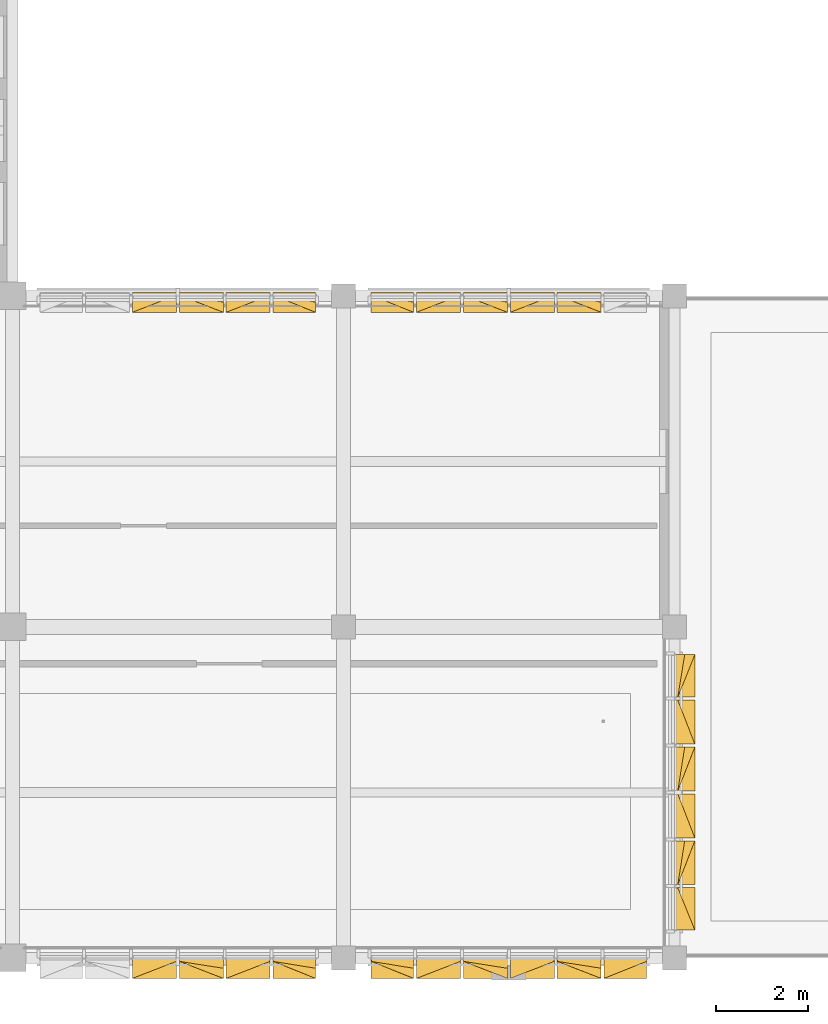
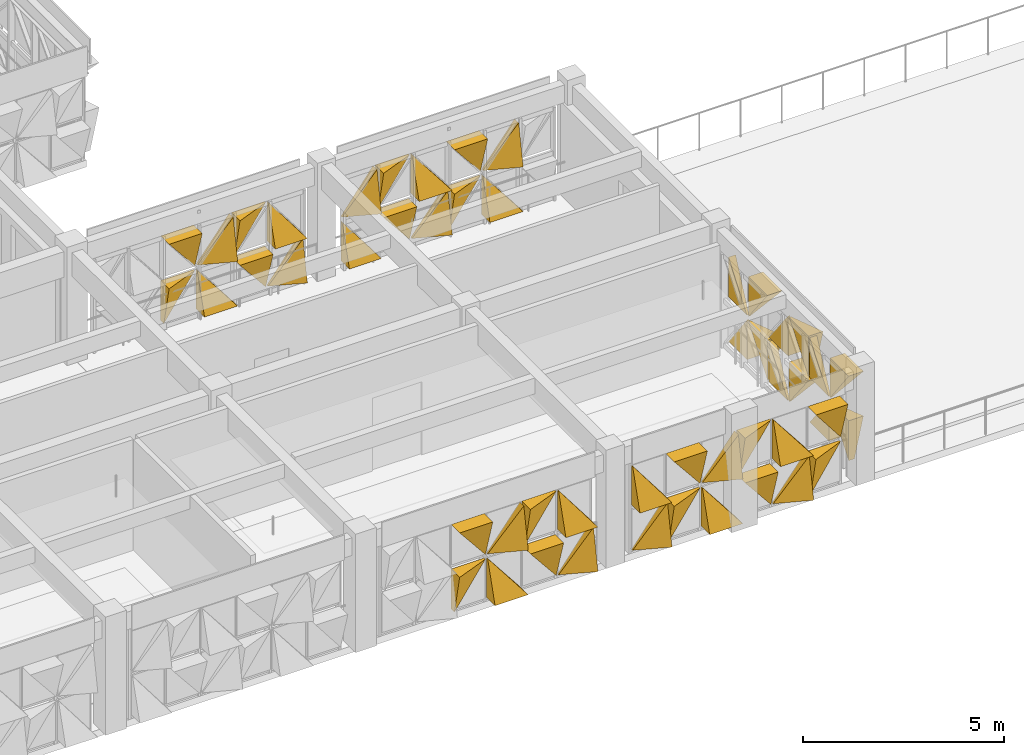
# One storey, part 88 of 99: 50 coverings.
"""IFC4 building model written with IfcOpenShell, lengths in metres."""

from ifc_helpers import new_model, si_unit, direction, frame, origin, place, context, subcontext, project, spatial, polygons, material, layer, layer_set, type_object, element, save


model = new_model("IFC4")

# Units and contexts
model_context = context("Model", 3, precision=1e-05, world=origin(), true_north=direction((0.0, 1.0)))
body_context = subcontext(model_context, "Body", "Model", "MODEL_VIEW")
ifc_project = project(units=[si_unit("LENGTHUNIT", "METRE"), si_unit("AREAUNIT", "SQUARE_METRE"), si_unit("VOLUMEUNIT", "CUBIC_METRE"), si_unit("PLANEANGLEUNIT", "RADIAN"), si_unit("MASSUNIT", "GRAM", prefix="KILO")], contexts=[model_context])

# Site, building, storey
site_placement = place(None, origin())
site = spatial("IfcSite", under=ifc_project, at=site_placement, CompositionType="ELEMENT")
building_placement = place(site_placement, origin())
building = spatial("IfcBuilding", under=site, at=building_placement, Name="Alvorim Cloister Faculty of Sciences", CompositionType="ELEMENT")
storey_placement = place(building_placement, frame((0.0, 0.0, 12.14990234375)))
storey = spatial("IfcBuildingStorey", under=building, at=storey_placement, Name="L03", CompositionType="ELEMENT", Elevation=12.14990234375)

# Coverings
ifc_material = material(Name="Perforated Bronze Alloy Sheet", Category="metal")
ifc_layer = layer(ifc_material, 0.0380859375)
ifc_layer_set = layer_set([ifc_layer], Name="Perforated Bronze Alloy Sheet")
covering_type = type_object("IfcCoveringType", Name="COV-TRI-BRZ", PredefinedType="CLADDING", material=ifc_layer_set)
covering_1_placement = place(storey_placement, frame((31.41259765625, 14.445068359375, 0.14013671875), z_axis=(0.0, 0.0, 1.0), x_axis=(1.0, 0.0, 0.0)))
element("IfcCovering", 1, at=covering_1_placement, inside=storey, type_object=covering_type, Name="Diagonal Solid Metal Triangle TRI-TL", PredefinedType="CLADDING", context=body_context, shape_type="Tessellation", body=[
    polygons([(0.953078125, 0.0260009765625, 1.21484375), (0.0, 0.0260009765625, 1.21484375), (0.0, 0.0260009765625, 0.002), (0.953078125, -0.03, 1.21484375), (0.0, -0.4, 1.21484375), (0.0, -0.13999999999999999, 0.002)], [[[1, 3, 2]], [[4, 5, 6]], [[1, 2, 5, 4]], [[2, 3, 6, 5]], [[3, 1, 4, 6]]], closed=True),
])
covering_2_placement = place(storey_placement, frame((31.41259765625, 14.445068359375, 1.4951171875), z_axis=(0.0, 0.0, 1.0), x_axis=(1.0, 0.0, 0.0)))
element("IfcCovering", 2, at=covering_2_placement, inside=storey, type_object=covering_type, Name="Diagonal Solid Metal Triangle TRI-TR", PredefinedType="CLADDING", context=body_context, shape_type="Tessellation", body=[
    polygons([(0.955078125, 0.0260009765625, 0.002), (0.955078125, 0.0260009765625, 1.215087890625), (0.002, 0.0260009765625, 1.215087890625), (0.955078125, -0.03, 0.002), (0.955078125, -0.4, 1.215087890625), (0.002, -0.4, 1.215087890625)], [[[1, 3, 2]], [[4, 5, 6]], [[1, 2, 5, 4]], [[2, 3, 6, 5]], [[3, 1, 4, 6]]], closed=True),
])
covering_3_placement = place(storey_placement, frame((32.4326171875, 14.445068359375, 0.14013671875), z_axis=(0.0, 0.0, 1.0), x_axis=(1.0, 0.0, 0.0)))
element("IfcCovering", 3, at=covering_3_placement, inside=storey, type_object=covering_type, Name="Diagonal Solid Metal Triangle TRI-BL", PredefinedType="CLADDING", context=body_context, shape_type="Tessellation", body=[
    polygons([(0.0, 0.0260009765625, 0.0), (0.953078125, 0.0260009765625, 0.0), (0.0, 0.0260009765625, 1.21284375), (0.0, -0.4, 0.0), (0.953078125, -0.4, 0.0), (0.0, -0.03, 1.21284375)], [[[1, 3, 2]], [[4, 5, 6]], [[1, 2, 5, 4]], [[2, 3, 6, 5]], [[3, 1, 4, 6]]], closed=True),
])
covering_4_placement = place(storey_placement, frame((32.4326171875, 14.445068359375, 1.4951171875), z_axis=(0.0, 0.0, 1.0), x_axis=(1.0, 0.0, 0.0)))
element("IfcCovering", 4, at=covering_4_placement, inside=storey, type_object=covering_type, Name="Diagonal Solid Metal Triangle TRI-BR", PredefinedType="CLADDING", context=body_context, shape_type="Tessellation", body=[
    polygons([(0.002, 0.0260009765625, 0.0), (0.955078125, 0.0260009765625, 0.0), (0.955078125, 0.0260009765625, 1.213087890625), (0.002, -0.03, 0.0), (0.955078125, -0.4, 0.0), (0.955078125, -0.18000000000000002, 1.213087890625)], [[[1, 3, 2]], [[4, 5, 6]], [[1, 2, 5, 4]], [[2, 3, 6, 5]], [[3, 1, 4, 6]]], closed=True),
])
covering_5_placement = place(storey_placement, frame((33.452392578125, 14.445068359375, 0.14013671875), z_axis=(0.0, 0.0, 1.0), x_axis=(1.0, 0.0, 0.0)))
element("IfcCovering", 5, at=covering_5_placement, inside=storey, type_object=covering_type, Name="Diagonal Solid Metal Triangle TRI-TR", PredefinedType="CLADDING", context=body_context, shape_type="Tessellation", body=[
    polygons([(0.955078125, 0.0260009765625, 0.002), (0.955078125, 0.0260009765625, 1.21484375), (0.002, 0.0260009765625, 1.21484375), (0.955078125, -0.03, 0.002), (0.955078125, -0.4, 1.21484375), (0.002, -0.4, 1.21484375)], [[[1, 3, 2]], [[4, 5, 6]], [[1, 2, 5, 4]], [[2, 3, 6, 5]], [[3, 1, 4, 6]]], closed=True),
])
covering_6_placement = place(storey_placement, frame((33.452392578125, 14.445068359375, 1.4951171875), z_axis=(0.0, 0.0, 1.0), x_axis=(1.0, 0.0, 0.0)))
element("IfcCovering", 6, at=covering_6_placement, inside=storey, type_object=covering_type, Name="Diagonal Solid Metal Triangle TRI-TL", PredefinedType="CLADDING", context=body_context, shape_type="Tessellation", body=[
    polygons([(0.953078125, 0.0260009765625, 1.215087890625), (0.0, 0.0260009765625, 1.215087890625), (0.0, 0.0260009765625, 0.002), (0.953078125, -0.03, 1.215087890625), (0.0, -0.4, 1.215087890625), (0.0, -0.13999999999999999, 0.002)], [[[1, 3, 2]], [[4, 5, 6]], [[1, 2, 5, 4]], [[2, 3, 6, 5]], [[3, 1, 4, 6]]], closed=True),
])
covering_7_placement = place(storey_placement, frame((34.472412109375, 14.445068359375, 0.14013671875), z_axis=(0.0, 0.0, 1.0), x_axis=(1.0, 0.0, 0.0)))
element("IfcCovering", 7, at=covering_7_placement, inside=storey, type_object=covering_type, Name="Diagonal Solid Metal Triangle TRI-BR", PredefinedType="CLADDING", context=body_context, shape_type="Tessellation", body=[
    polygons([(0.002, 0.0260009765625, 0.0), (0.922607421875, 0.0260009765625, 0.0), (0.922607421875, 0.0260009765625, 1.21284375), (0.002, -0.03, 0.0), (0.922607421875, -0.4, 0.0), (0.922607421875, -0.18000000000000002, 1.21284375)], [[[1, 3, 2]], [[4, 5, 6]], [[1, 2, 5, 4]], [[2, 3, 6, 5]], [[3, 1, 4, 6]]], closed=True),
])
covering_8_placement = place(storey_placement, frame((34.472412109375, 14.445068359375, 1.4951171875), z_axis=(0.0, 0.0, 1.0), x_axis=(1.0, 0.0, 0.0)))
element("IfcCovering", 8, at=covering_8_placement, inside=storey, type_object=covering_type, Name="Diagonal Solid Metal Triangle TRI-BL", PredefinedType="CLADDING", context=body_context, shape_type="Tessellation", body=[
    polygons([(0.0, 0.0260009765625, 0.0), (0.920607421875, 0.0260009765625, 0.0), (0.0, 0.0260009765625, 1.213087890625), (0.0, -0.4, 0.0), (0.920607421875, -0.4, 0.0), (0.0, -0.03, 1.213087890625)], [[[1, 3, 2]], [[4, 5, 6]], [[1, 2, 5, 4]], [[2, 3, 6, 5]], [[3, 1, 4, 6]]], closed=True),
])
covering_9_placement = place(storey_placement, frame((36.60498046875, 14.445068359375, 0.14013671875), z_axis=(0.0, 0.0, 1.0), x_axis=(1.0, 0.0, 0.0)))
element("IfcCovering", 9, at=covering_9_placement, inside=storey, type_object=covering_type, Name="Diagonal Solid Metal Triangle TRI-BL", PredefinedType="CLADDING", context=body_context, shape_type="Tessellation", body=[
    polygons([(0.0, 0.0260009765625, 0.0), (0.920607421875, 0.0260009765625, 0.0), (0.0, 0.0260009765625, 1.21284375), (0.0, -0.4, 0.0), (0.920607421875, -0.4, 0.0), (0.0, -0.03, 1.21284375)], [[[1, 3, 2]], [[4, 5, 6]], [[1, 2, 5, 4]], [[2, 3, 6, 5]], [[3, 1, 4, 6]]], closed=True),
])
covering_10_placement = place(storey_placement, frame((36.60498046875, 14.445068359375, 1.4951171875), z_axis=(0.0, 0.0, 1.0), x_axis=(1.0, 0.0, 0.0)))
element("IfcCovering", 10, at=covering_10_placement, inside=storey, type_object=covering_type, Name="Diagonal Solid Metal Triangle TRI-BR", PredefinedType="CLADDING", context=body_context, shape_type="Tessellation", body=[
    polygons([(0.002, 0.0260009765625, 0.0), (0.922607421875, 0.0260009765625, 0.0), (0.922607421875, 0.0260009765625, 1.213087890625), (0.002, -0.03, 0.0), (0.922607421875, -0.4, 0.0), (0.922607421875, -0.18000000000000002, 1.213087890625)], [[[1, 3, 2]], [[4, 5, 6]], [[1, 2, 5, 4]], [[2, 3, 6, 5]], [[3, 1, 4, 6]]], closed=True),
])
covering_11_placement = place(storey_placement, frame((37.592529296875, 14.445068359375, 0.14013671875), z_axis=(0.0, 0.0, 1.0), x_axis=(1.0, 0.0, 0.0)))
element("IfcCovering", 11, at=covering_11_placement, inside=storey, type_object=covering_type, Name="Diagonal Solid Metal Triangle TRI-TR", PredefinedType="CLADDING", context=body_context, shape_type="Tessellation", body=[
    polygons([(0.955078125, 0.0260009765625, 0.002), (0.955078125, 0.0260009765625, 1.21484375), (0.002, 0.0260009765625, 1.21484375), (0.955078125, -0.03, 0.002), (0.955078125, -0.4, 1.21484375), (0.002, -0.4, 1.21484375)], [[[1, 3, 2]], [[4, 5, 6]], [[1, 2, 5, 4]], [[2, 3, 6, 5]], [[3, 1, 4, 6]]], closed=True),
])
covering_12_placement = place(storey_placement, frame((37.592529296875, 14.445068359375, 1.4951171875), z_axis=(0.0, 0.0, 1.0), x_axis=(1.0, 0.0, 0.0)))
element("IfcCovering", 12, at=covering_12_placement, inside=storey, type_object=covering_type, Name="Diagonal Solid Metal Triangle TRI-TL", PredefinedType="CLADDING", context=body_context, shape_type="Tessellation", body=[
    polygons([(0.953078125, 0.0260009765625, 1.215087890625), (0.0, 0.0260009765625, 1.215087890625), (0.0, 0.0260009765625, 0.002), (0.953078125, -0.03, 1.215087890625), (0.0, -0.4, 1.215087890625), (0.0, -0.13999999999999999, 0.002)], [[[1, 3, 2]], [[4, 5, 6]], [[1, 2, 5, 4]], [[2, 3, 6, 5]], [[3, 1, 4, 6]]], closed=True),
])
covering_13_placement = place(storey_placement, frame((38.612548828125, 14.445068359375, 0.14013671875), z_axis=(0.0, 0.0, 1.0), x_axis=(1.0, 0.0, 0.0)))
element("IfcCovering", 13, at=covering_13_placement, inside=storey, type_object=covering_type, Name="Diagonal Solid Metal Triangle TRI-BR", PredefinedType="CLADDING", context=body_context, shape_type="Tessellation", body=[
    polygons([(0.002, 0.0260009765625, 0.0), (0.955078125, 0.0260009765625, 0.0), (0.955078125, 0.0260009765625, 1.21284375), (0.002, -0.03, 0.0), (0.955078125, -0.4, 0.0), (0.955078125, -0.18000000000000002, 1.21284375)], [[[1, 3, 2]], [[4, 5, 6]], [[1, 2, 5, 4]], [[2, 3, 6, 5]], [[3, 1, 4, 6]]], closed=True),
])
covering_14_placement = place(storey_placement, frame((38.612548828125, 14.445068359375, 1.4951171875), z_axis=(0.0, 0.0, 1.0), x_axis=(1.0, 0.0, 0.0)))
element("IfcCovering", 14, at=covering_14_placement, inside=storey, type_object=covering_type, Name="Diagonal Solid Metal Triangle TRI-BL", PredefinedType="CLADDING", context=body_context, shape_type="Tessellation", body=[
    polygons([(0.0, 0.0260009765625, 0.0), (0.953078125, 0.0260009765625, 0.0), (0.0, 0.0260009765625, 1.213087890625), (0.0, -0.4, 0.0), (0.953078125, -0.4, 0.0), (0.0, -0.03, 1.213087890625)], [[[1, 3, 2]], [[4, 5, 6]], [[1, 2, 5, 4]], [[2, 3, 6, 5]], [[3, 1, 4, 6]]], closed=True),
])
covering_15_placement = place(storey_placement, frame((39.632568359375, 14.445068359375, 0.14013671875), z_axis=(0.0, 0.0, 1.0), x_axis=(1.0, 0.0, 0.0)))
element("IfcCovering", 15, at=covering_15_placement, inside=storey, type_object=covering_type, Name="Diagonal Solid Metal Triangle TRI-TL", PredefinedType="CLADDING", context=body_context, shape_type="Tessellation", body=[
    polygons([(0.953078125, 0.0260009765625, 1.21484375), (0.0, 0.0260009765625, 1.21484375), (0.0, 0.0260009765625, 0.002), (0.953078125, -0.03, 1.21484375), (0.0, -0.4, 1.21484375), (0.0, -0.13999999999999999, 0.002)], [[[1, 3, 2]], [[4, 5, 6]], [[1, 2, 5, 4]], [[2, 3, 6, 5]], [[3, 1, 4, 6]]], closed=True),
])
covering_16_placement = place(storey_placement, frame((39.632568359375, 14.445068359375, 1.4951171875), z_axis=(0.0, 0.0, 1.0), x_axis=(1.0, 0.0, 0.0)))
element("IfcCovering", 16, at=covering_16_placement, inside=storey, type_object=covering_type, Name="Diagonal Solid Metal Triangle TRI-TR", PredefinedType="CLADDING", context=body_context, shape_type="Tessellation", body=[
    polygons([(0.955078125, 0.0260009765625, 0.002), (0.955078125, 0.0260009765625, 1.215087890625), (0.002, 0.0260009765625, 1.215087890625), (0.955078125, -0.03, 0.002), (0.955078125, -0.4, 1.215087890625), (0.002, -0.4, 1.215087890625)], [[[1, 3, 2]], [[4, 5, 6]], [[1, 2, 5, 4]], [[2, 3, 6, 5]], [[3, 1, 4, 6]]], closed=True),
])
covering_17_placement = place(storey_placement, frame((40.652587890625, 14.445068359375, 0.14013671875), z_axis=(0.0, 0.0, 1.0), x_axis=(1.0, 0.0, 0.0)))
element("IfcCovering", 17, at=covering_17_placement, inside=storey, type_object=covering_type, Name="Diagonal Solid Metal Triangle TRI-BL", PredefinedType="CLADDING", context=body_context, shape_type="Tessellation", body=[
    polygons([(0.0, 0.0260009765625, 0.0), (0.953078125, 0.0260009765625, 0.0), (0.0, 0.0260009765625, 1.21284375), (0.0, -0.4, 0.0), (0.953078125, -0.4, 0.0), (0.0, -0.03, 1.21284375)], [[[1, 3, 2]], [[4, 5, 6]], [[1, 2, 5, 4]], [[2, 3, 6, 5]], [[3, 1, 4, 6]]], closed=True),
])
covering_18_placement = place(storey_placement, frame((40.652587890625, 14.445068359375, 1.4951171875), z_axis=(0.0, 0.0, 1.0), x_axis=(1.0, 0.0, 0.0)))
element("IfcCovering", 18, at=covering_18_placement, inside=storey, type_object=covering_type, Name="Diagonal Solid Metal Triangle TRI-BR", PredefinedType="CLADDING", context=body_context, shape_type="Tessellation", body=[
    polygons([(0.002, 0.0260009765625, 0.0), (0.955078125, 0.0260009765625, 0.0), (0.955078125, 0.0260009765625, 1.213087890625), (0.002, -0.03, 0.0), (0.955078125, -0.4, 0.0), (0.955078125, -0.18000000000000002, 1.213087890625)], [[[1, 3, 2]], [[4, 5, 6]], [[1, 2, 5, 4]], [[2, 3, 6, 5]], [[3, 1, 4, 6]]], closed=True),
])
covering_19_placement = place(storey_placement, frame((43.2451171875, 0.60498046875, 0.14013671875), z_axis=(0.0, 0.0, 1.0), x_axis=(0.0, 1.0, 0.0)))
element("IfcCovering", 19, at=covering_19_placement, inside=storey, type_object=covering_type, Name="Diagonal Solid Metal Triangle TRI-TL", PredefinedType="CLADDING", context=body_context, shape_type="Tessellation", body=[
    polygons([(0.920607421875, 0.0260009765625, 1.21484375), (0.0, 0.0260009765625, 1.21484375), (0.0, 0.0260009765625, 0.002), (0.920607421875, -0.03, 1.21484375), (0.0, -0.4, 1.21484375), (0.0, -0.13999999999999999, 0.002)], [[[1, 3, 2]], [[4, 5, 6]], [[1, 2, 5, 4]], [[2, 3, 6, 5]], [[3, 1, 4, 6]]], closed=True),
])
covering_20_placement = place(storey_placement, frame((43.2451171875, 0.60498046875, 1.4951171875), z_axis=(0.0, 0.0, 1.0), x_axis=(0.0, 1.0, 0.0)))
element("IfcCovering", 20, at=covering_20_placement, inside=storey, type_object=covering_type, Name="Diagonal Solid Metal Triangle TRI-TR", PredefinedType="CLADDING", context=body_context, shape_type="Tessellation", body=[
    polygons([(0.922607421875, 0.0260009765625, 0.002), (0.922607421875, 0.0260009765625, 1.215087890625), (0.002, 0.0260009765625, 1.215087890625), (0.922607421875, -0.03, 0.002), (0.922607421875, -0.4, 1.215087890625), (0.002, -0.4, 1.215087890625)], [[[1, 3, 2]], [[4, 5, 6]], [[1, 2, 5, 4]], [[2, 3, 6, 5]], [[3, 1, 4, 6]]], closed=True),
])
covering_21_placement = place(storey_placement, frame((43.2451171875, 1.592529296875, 0.14013671875), z_axis=(0.0, 0.0, 1.0), x_axis=(0.0, 1.0, 0.0)))
element("IfcCovering", 21, at=covering_21_placement, inside=storey, type_object=covering_type, Name="Diagonal Solid Metal Triangle TRI-BL", PredefinedType="CLADDING", context=body_context, shape_type="Tessellation", body=[
    polygons([(0.0, 0.0260009765625, 0.0), (0.953078125, 0.0260009765625, 0.0), (0.0, 0.0260009765625, 1.21284375), (0.0, -0.4, 0.0), (0.953078125, -0.4, 0.0), (0.0, -0.03, 1.21284375)], [[[1, 3, 2]], [[4, 5, 6]], [[1, 2, 5, 4]], [[2, 3, 6, 5]], [[3, 1, 4, 6]]], closed=True),
])
covering_22_placement = place(storey_placement, frame((43.2451171875, 1.592529296875, 1.4951171875), z_axis=(0.0, 0.0, 1.0), x_axis=(0.0, 1.0, 0.0)))
element("IfcCovering", 22, at=covering_22_placement, inside=storey, type_object=covering_type, Name="Diagonal Solid Metal Triangle TRI-BR", PredefinedType="CLADDING", context=body_context, shape_type="Tessellation", body=[
    polygons([(0.002, 0.0260009765625, 0.0), (0.955078125, 0.0260009765625, 0.0), (0.955078125, 0.0260009765625, 1.213087890625), (0.002, -0.03, 0.0), (0.955078125, -0.4, 0.0), (0.955078125, -0.18000000000000002, 1.213087890625)], [[[1, 3, 2]], [[4, 5, 6]], [[1, 2, 5, 4]], [[2, 3, 6, 5]], [[3, 1, 4, 6]]], closed=True),
])
covering_23_placement = place(storey_placement, frame((43.2451171875, 2.612548828125, 0.14013671875), z_axis=(0.0, 0.0, 1.0), x_axis=(0.0, 1.0, 0.0)))
element("IfcCovering", 23, at=covering_23_placement, inside=storey, type_object=covering_type, Name="Diagonal Solid Metal Triangle TRI-TR", PredefinedType="CLADDING", context=body_context, shape_type="Tessellation", body=[
    polygons([(0.955078125, 0.0260009765625, 0.002), (0.955078125, 0.0260009765625, 1.21484375), (0.002, 0.0260009765625, 1.21484375), (0.955078125, -0.03, 0.002), (0.955078125, -0.4, 1.21484375), (0.002, -0.4, 1.21484375)], [[[1, 3, 2]], [[4, 5, 6]], [[1, 2, 5, 4]], [[2, 3, 6, 5]], [[3, 1, 4, 6]]], closed=True),
])
covering_24_placement = place(storey_placement, frame((43.2451171875, 2.612548828125, 1.4951171875), z_axis=(0.0, 0.0, 1.0), x_axis=(0.0, 1.0, 0.0)))
element("IfcCovering", 24, at=covering_24_placement, inside=storey, type_object=covering_type, Name="Diagonal Solid Metal Triangle TRI-TL", PredefinedType="CLADDING", context=body_context, shape_type="Tessellation", body=[
    polygons([(0.953078125, 0.0260009765625, 1.215087890625), (0.0, 0.0260009765625, 1.215087890625), (0.0, 0.0260009765625, 0.002), (0.953078125, -0.03, 1.215087890625), (0.0, -0.4, 1.215087890625), (0.0, -0.13999999999999999, 0.002)], [[[1, 3, 2]], [[4, 5, 6]], [[1, 2, 5, 4]], [[2, 3, 6, 5]], [[3, 1, 4, 6]]], closed=True),
])
covering_25_placement = place(storey_placement, frame((43.2451171875, 3.632568359375, 0.14013671875), z_axis=(0.0, 0.0, 1.0), x_axis=(0.0, 1.0, 0.0)))
element("IfcCovering", 25, at=covering_25_placement, inside=storey, type_object=covering_type, Name="Diagonal Solid Metal Triangle TRI-BR", PredefinedType="CLADDING", context=body_context, shape_type="Tessellation", body=[
    polygons([(0.002, 0.0260009765625, 0.0), (0.955078125, 0.0260009765625, 0.0), (0.955078125, 0.0260009765625, 1.21284375), (0.002, -0.03, 0.0), (0.955078125, -0.4, 0.0), (0.955078125, -0.18000000000000002, 1.21284375)], [[[1, 3, 2]], [[4, 5, 6]], [[1, 2, 5, 4]], [[2, 3, 6, 5]], [[3, 1, 4, 6]]], closed=True),
])
covering_26_placement = place(storey_placement, frame((43.2451171875, 3.632568359375, 1.4951171875), z_axis=(0.0, 0.0, 1.0), x_axis=(0.0, 1.0, 0.0)))
element("IfcCovering", 26, at=covering_26_placement, inside=storey, type_object=covering_type, Name="Diagonal Solid Metal Triangle TRI-BL", PredefinedType="CLADDING", context=body_context, shape_type="Tessellation", body=[
    polygons([(0.0, 0.0260009765625, 0.0), (0.953078125, 0.0260009765625, 0.0), (0.0, 0.0260009765625, 1.213087890625), (0.0, -0.4, 0.0), (0.953078125, -0.4, 0.0), (0.0, -0.03, 1.213087890625)], [[[1, 3, 2]], [[4, 5, 6]], [[1, 2, 5, 4]], [[2, 3, 6, 5]], [[3, 1, 4, 6]]], closed=True),
])
covering_27_placement = place(storey_placement, frame((43.2451171875, 4.652587890625, 0.14013671875), z_axis=(0.0, 0.0, 1.0), x_axis=(0.0, 1.0, 0.0)))
element("IfcCovering", 27, at=covering_27_placement, inside=storey, type_object=covering_type, Name="Diagonal Solid Metal Triangle TRI-TL", PredefinedType="CLADDING", context=body_context, shape_type="Tessellation", body=[
    polygons([(0.953078125, 0.0260009765625, 1.21484375), (0.0, 0.0260009765625, 1.21484375), (0.0, 0.0260009765625, 0.002), (0.953078125, -0.03, 1.21484375), (0.0, -0.4, 1.21484375), (0.0, -0.13999999999999999, 0.002)], [[[1, 3, 2]], [[4, 5, 6]], [[1, 2, 5, 4]], [[2, 3, 6, 5]], [[3, 1, 4, 6]]], closed=True),
])
covering_28_placement = place(storey_placement, frame((43.2451171875, 4.652587890625, 1.4951171875), z_axis=(0.0, 0.0, 1.0), x_axis=(0.0, 1.0, 0.0)))
element("IfcCovering", 28, at=covering_28_placement, inside=storey, type_object=covering_type, Name="Diagonal Solid Metal Triangle TRI-TR", PredefinedType="CLADDING", context=body_context, shape_type="Tessellation", body=[
    polygons([(0.955078125, 0.0260009765625, 0.002), (0.955078125, 0.0260009765625, 1.215087890625), (0.002, 0.0260009765625, 1.215087890625), (0.955078125, -0.03, 0.002), (0.955078125, -0.4, 1.215087890625), (0.002, -0.4, 1.215087890625)], [[[1, 3, 2]], [[4, 5, 6]], [[1, 2, 5, 4]], [[2, 3, 6, 5]], [[3, 1, 4, 6]]], closed=True),
])
covering_29_placement = place(storey_placement, frame((43.2451171875, 5.672607421875, 0.14013671875), z_axis=(0.0, 0.0, 1.0), x_axis=(0.0, 1.0, 0.0)))
element("IfcCovering", 29, at=covering_29_placement, inside=storey, type_object=covering_type, Name="Diagonal Solid Metal Triangle TRI-BL", PredefinedType="CLADDING", context=body_context, shape_type="Tessellation", body=[
    polygons([(0.0, 0.0260009765625, 0.0), (0.920607421875, 0.0260009765625, 0.0), (0.0, 0.0260009765625, 1.21284375), (0.0, -0.4, 0.0), (0.920607421875, -0.4, 0.0), (0.0, -0.03, 1.21284375)], [[[1, 3, 2]], [[4, 5, 6]], [[1, 2, 5, 4]], [[2, 3, 6, 5]], [[3, 1, 4, 6]]], closed=True),
])
covering_30_placement = place(storey_placement, frame((43.2451171875, 5.672607421875, 1.4951171875), z_axis=(0.0, 0.0, 1.0), x_axis=(0.0, 1.0, 0.0)))
element("IfcCovering", 30, at=covering_30_placement, inside=storey, type_object=covering_type, Name="Diagonal Solid Metal Triangle TRI-BR", PredefinedType="CLADDING", context=body_context, shape_type="Tessellation", body=[
    polygons([(0.002, 0.0260009765625, 0.0), (0.922607421875, 0.0260009765625, 0.0), (0.922607421875, 0.0260009765625, 1.213087890625), (0.002, -0.03, 0.0), (0.922607421875, -0.4, 0.0), (0.922607421875, -0.18000000000000002, 1.213087890625)], [[[1, 3, 2]], [[4, 5, 6]], [[1, 2, 5, 4]], [[2, 3, 6, 5]], [[3, 1, 4, 6]]], closed=True),
])
covering_31_placement = place(storey_placement, frame((36.60498046875, -0.044921875, 0.14013671875), z_axis=(0.0, 0.0, 1.0), x_axis=(1.0, 0.0, 0.0)))
element("IfcCovering", 31, at=covering_31_placement, inside=storey, type_object=covering_type, Name="Diagonal Solid Metal Triangle TRI-BR", PredefinedType="CLADDING", context=body_context, shape_type="Tessellation", body=[
    polygons([(0.002, 0.0260009765625, 0.0), (0.922607421875, 0.0260009765625, 0.0), (0.922607421875, 0.0260009765625, 1.21284375), (0.002, -0.03, 0.0), (0.922607421875, -0.4, 0.0), (0.922607421875, -0.18000000000000002, 1.21284375)], [[[1, 3, 2]], [[4, 5, 6]], [[1, 2, 5, 4]], [[2, 3, 6, 5]], [[3, 1, 4, 6]]], closed=True),
])
covering_32_placement = place(storey_placement, frame((36.60498046875, -0.044921875, 1.4951171875), z_axis=(0.0, 0.0, 1.0), x_axis=(1.0, 0.0, 0.0)))
element("IfcCovering", 32, at=covering_32_placement, inside=storey, type_object=covering_type, Name="Diagonal Solid Metal Triangle TRI-BL", PredefinedType="CLADDING", context=body_context, shape_type="Tessellation", body=[
    polygons([(0.0, 0.0260009765625, 0.0), (0.920607421875, 0.0260009765625, 0.0), (0.0, 0.0260009765625, 1.213087890625), (0.0, -0.4, 0.0), (0.920607421875, -0.4, 0.0), (0.0, -0.03, 1.213087890625)], [[[1, 3, 2]], [[4, 5, 6]], [[1, 2, 5, 4]], [[2, 3, 6, 5]], [[3, 1, 4, 6]]], closed=True),
])
covering_33_placement = place(storey_placement, frame((37.592529296875, -0.044921875, 0.14013671875), z_axis=(0.0, 0.0, 1.0), x_axis=(1.0, 0.0, 0.0)))
element("IfcCovering", 33, at=covering_33_placement, inside=storey, type_object=covering_type, Name="Diagonal Solid Metal Triangle TRI-TL", PredefinedType="CLADDING", context=body_context, shape_type="Tessellation", body=[
    polygons([(0.953078125, 0.0260009765625, 1.21484375), (0.0, 0.0260009765625, 1.21484375), (0.0, 0.0260009765625, 0.002), (0.953078125, -0.03, 1.21484375), (0.0, -0.4, 1.21484375), (0.0, -0.13999999999999999, 0.002)], [[[1, 3, 2]], [[4, 5, 6]], [[1, 2, 5, 4]], [[2, 3, 6, 5]], [[3, 1, 4, 6]]], closed=True),
])
covering_34_placement = place(storey_placement, frame((37.592529296875, -0.044921875, 1.4951171875), z_axis=(0.0, 0.0, 1.0), x_axis=(1.0, 0.0, 0.0)))
element("IfcCovering", 34, at=covering_34_placement, inside=storey, type_object=covering_type, Name="Diagonal Solid Metal Triangle TRI-TR", PredefinedType="CLADDING", context=body_context, shape_type="Tessellation", body=[
    polygons([(0.955078125, 0.0260009765625, 0.002), (0.955078125, 0.0260009765625, 1.215087890625), (0.002, 0.0260009765625, 1.215087890625), (0.955078125, -0.03, 0.002), (0.955078125, -0.4, 1.215087890625), (0.002, -0.4, 1.215087890625)], [[[1, 3, 2]], [[4, 5, 6]], [[1, 2, 5, 4]], [[2, 3, 6, 5]], [[3, 1, 4, 6]]], closed=True),
])
covering_35_placement = place(storey_placement, frame((38.612548828125, -0.044921875, 0.14013671875), z_axis=(0.0, 0.0, 1.0), x_axis=(1.0, 0.0, 0.0)))
element("IfcCovering", 35, at=covering_35_placement, inside=storey, type_object=covering_type, Name="Diagonal Solid Metal Triangle TRI-BL", PredefinedType="CLADDING", context=body_context, shape_type="Tessellation", body=[
    polygons([(0.0, 0.0260009765625, 0.0), (0.953078125, 0.0260009765625, 0.0), (0.0, 0.0260009765625, 1.21284375), (0.0, -0.4, 0.0), (0.953078125, -0.4, 0.0), (0.0, -0.03, 1.21284375)], [[[1, 3, 2]], [[4, 5, 6]], [[1, 2, 5, 4]], [[2, 3, 6, 5]], [[3, 1, 4, 6]]], closed=True),
])
covering_36_placement = place(storey_placement, frame((38.612548828125, -0.044921875, 1.4951171875), z_axis=(0.0, 0.0, 1.0), x_axis=(1.0, 0.0, 0.0)))
element("IfcCovering", 36, at=covering_36_placement, inside=storey, type_object=covering_type, Name="Diagonal Solid Metal Triangle TRI-BR", PredefinedType="CLADDING", context=body_context, shape_type="Tessellation", body=[
    polygons([(0.002, 0.0260009765625, 0.0), (0.955078125, 0.0260009765625, 0.0), (0.955078125, 0.0260009765625, 1.213087890625), (0.002, -0.03, 0.0), (0.955078125, -0.4, 0.0), (0.955078125, -0.18000000000000002, 1.213087890625)], [[[1, 3, 2]], [[4, 5, 6]], [[1, 2, 5, 4]], [[2, 3, 6, 5]], [[3, 1, 4, 6]]], closed=True),
])
covering_37_placement = place(storey_placement, frame((39.632568359375, -0.044921875, 0.14013671875), z_axis=(0.0, 0.0, 1.0), x_axis=(1.0, 0.0, 0.0)))
element("IfcCovering", 37, at=covering_37_placement, inside=storey, type_object=covering_type, Name="Diagonal Solid Metal Triangle TRI-TR", PredefinedType="CLADDING", context=body_context, shape_type="Tessellation", body=[
    polygons([(0.955078125, 0.0260009765625, 0.002), (0.955078125, 0.0260009765625, 1.21484375), (0.002, 0.0260009765625, 1.21484375), (0.955078125, -0.03, 0.002), (0.955078125, -0.4, 1.21484375), (0.002, -0.4, 1.21484375)], [[[1, 3, 2]], [[4, 5, 6]], [[1, 2, 5, 4]], [[2, 3, 6, 5]], [[3, 1, 4, 6]]], closed=True),
])
covering_38_placement = place(storey_placement, frame((39.632568359375, -0.044921875, 1.4951171875), z_axis=(0.0, 0.0, 1.0), x_axis=(1.0, 0.0, 0.0)))
element("IfcCovering", 38, at=covering_38_placement, inside=storey, type_object=covering_type, Name="Diagonal Solid Metal Triangle TRI-TL", PredefinedType="CLADDING", context=body_context, shape_type="Tessellation", body=[
    polygons([(0.953078125, 0.0260009765625, 1.215087890625), (0.0, 0.0260009765625, 1.215087890625), (0.0, 0.0260009765625, 0.002), (0.953078125, -0.03, 1.215087890625), (0.0, -0.4, 1.215087890625), (0.0, -0.13999999999999999, 0.002)], [[[1, 3, 2]], [[4, 5, 6]], [[1, 2, 5, 4]], [[2, 3, 6, 5]], [[3, 1, 4, 6]]], closed=True),
])
covering_39_placement = place(storey_placement, frame((40.652587890625, -0.044921875, 0.14013671875), z_axis=(0.0, 0.0, 1.0), x_axis=(1.0, 0.0, 0.0)))
element("IfcCovering", 39, at=covering_39_placement, inside=storey, type_object=covering_type, Name="Diagonal Solid Metal Triangle TRI-BR", PredefinedType="CLADDING", context=body_context, shape_type="Tessellation", body=[
    polygons([(0.002, 0.0260009765625, 0.0), (0.955078125, 0.0260009765625, 0.0), (0.955078125, 0.0260009765625, 1.21284375), (0.002, -0.03, 0.0), (0.955078125, -0.4, 0.0), (0.955078125, -0.18000000000000002, 1.21284375)], [[[1, 3, 2]], [[4, 5, 6]], [[1, 2, 5, 4]], [[2, 3, 6, 5]], [[3, 1, 4, 6]]], closed=True),
])
covering_40_placement = place(storey_placement, frame((40.652587890625, -0.044921875, 1.4951171875), z_axis=(0.0, 0.0, 1.0), x_axis=(1.0, 0.0, 0.0)))
element("IfcCovering", 40, at=covering_40_placement, inside=storey, type_object=covering_type, Name="Diagonal Solid Metal Triangle TRI-BL", PredefinedType="CLADDING", context=body_context, shape_type="Tessellation", body=[
    polygons([(0.0, 0.0260009765625, 0.0), (0.953078125, 0.0260009765625, 0.0), (0.0, 0.0260009765625, 1.213087890625), (0.0, -0.4, 0.0), (0.953078125, -0.4, 0.0), (0.0, -0.03, 1.213087890625)], [[[1, 3, 2]], [[4, 5, 6]], [[1, 2, 5, 4]], [[2, 3, 6, 5]], [[3, 1, 4, 6]]], closed=True),
])
covering_41_placement = place(storey_placement, frame((41.672607421875, -0.044921875, 0.14013671875), z_axis=(0.0, 0.0, 1.0), x_axis=(1.0, 0.0, 0.0)))
element("IfcCovering", 41, at=covering_41_placement, inside=storey, type_object=covering_type, Name="Diagonal Solid Metal Triangle TRI-TL", PredefinedType="CLADDING", context=body_context, shape_type="Tessellation", body=[
    polygons([(0.920607421875, 0.0260009765625, 1.21484375), (0.0, 0.0260009765625, 1.21484375), (0.0, 0.0260009765625, 0.002), (0.920607421875, -0.03, 1.21484375), (0.0, -0.4, 1.21484375), (0.0, -0.13999999999999999, 0.002)], [[[1, 3, 2]], [[4, 5, 6]], [[1, 2, 5, 4]], [[2, 3, 6, 5]], [[3, 1, 4, 6]]], closed=True),
])
covering_42_placement = place(storey_placement, frame((41.672607421875, -0.044921875, 1.4951171875), z_axis=(0.0, 0.0, 1.0), x_axis=(1.0, 0.0, 0.0)))
element("IfcCovering", 42, at=covering_42_placement, inside=storey, type_object=covering_type, Name="Diagonal Solid Metal Triangle TRI-TR", PredefinedType="CLADDING", context=body_context, shape_type="Tessellation", body=[
    polygons([(0.922607421875, 0.0260009765625, 0.002), (0.922607421875, 0.0260009765625, 1.215087890625), (0.002, 0.0260009765625, 1.215087890625), (0.922607421875, -0.03, 0.002), (0.922607421875, -0.4, 1.215087890625), (0.002, -0.4, 1.215087890625)], [[[1, 3, 2]], [[4, 5, 6]], [[1, 2, 5, 4]], [[2, 3, 6, 5]], [[3, 1, 4, 6]]], closed=True),
])
covering_43_placement = place(storey_placement, frame((31.41259765625, -0.044921875, 0.14013671875), z_axis=(0.0, 0.0, 1.0), x_axis=(1.0, 0.0, 0.0)))
element("IfcCovering", 43, at=covering_43_placement, inside=storey, type_object=covering_type, Name="Diagonal Solid Metal Triangle TRI-TL", PredefinedType="CLADDING", context=body_context, shape_type="Tessellation", body=[
    polygons([(0.953078125, 0.0260009765625, 1.21484375), (0.0, 0.0260009765625, 1.21484375), (0.0, 0.0260009765625, 0.002), (0.953078125, -0.03, 1.21484375), (0.0, -0.4, 1.21484375), (0.0, -0.13999999999999999, 0.002)], [[[1, 3, 2]], [[4, 5, 6]], [[1, 2, 5, 4]], [[2, 3, 6, 5]], [[3, 1, 4, 6]]], closed=True),
])
covering_44_placement = place(storey_placement, frame((31.41259765625, -0.044921875, 1.4951171875), z_axis=(0.0, 0.0, 1.0), x_axis=(1.0, 0.0, 0.0)))
element("IfcCovering", 44, at=covering_44_placement, inside=storey, type_object=covering_type, Name="Diagonal Solid Metal Triangle TRI-TR", PredefinedType="CLADDING", context=body_context, shape_type="Tessellation", body=[
    polygons([(0.955078125, 0.0260009765625, 0.002), (0.955078125, 0.0260009765625, 1.215087890625), (0.002, 0.0260009765625, 1.215087890625), (0.955078125, -0.03, 0.002), (0.955078125, -0.4, 1.215087890625), (0.002, -0.4, 1.215087890625)], [[[1, 3, 2]], [[4, 5, 6]], [[1, 2, 5, 4]], [[2, 3, 6, 5]], [[3, 1, 4, 6]]], closed=True),
])
covering_45_placement = place(storey_placement, frame((32.4326171875, -0.044921875, 0.14013671875), z_axis=(0.0, 0.0, 1.0), x_axis=(1.0, 0.0, 0.0)))
element("IfcCovering", 45, at=covering_45_placement, inside=storey, type_object=covering_type, Name="Diagonal Solid Metal Triangle TRI-BL", PredefinedType="CLADDING", context=body_context, shape_type="Tessellation", body=[
    polygons([(0.0, 0.0260009765625, 0.0), (0.953078125, 0.0260009765625, 0.0), (0.0, 0.0260009765625, 1.21284375), (0.0, -0.4, 0.0), (0.953078125, -0.4, 0.0), (0.0, -0.03, 1.21284375)], [[[1, 3, 2]], [[4, 5, 6]], [[1, 2, 5, 4]], [[2, 3, 6, 5]], [[3, 1, 4, 6]]], closed=True),
])
covering_46_placement = place(storey_placement, frame((32.4326171875, -0.044921875, 1.4951171875), z_axis=(0.0, 0.0, 1.0), x_axis=(1.0, 0.0, 0.0)))
element("IfcCovering", 46, at=covering_46_placement, inside=storey, type_object=covering_type, Name="Diagonal Solid Metal Triangle TRI-BR", PredefinedType="CLADDING", context=body_context, shape_type="Tessellation", body=[
    polygons([(0.002, 0.0260009765625, 0.0), (0.955078125, 0.0260009765625, 0.0), (0.955078125, 0.0260009765625, 1.213087890625), (0.002, -0.03, 0.0), (0.955078125, -0.4, 0.0), (0.955078125, -0.18000000000000002, 1.213087890625)], [[[1, 3, 2]], [[4, 5, 6]], [[1, 2, 5, 4]], [[2, 3, 6, 5]], [[3, 1, 4, 6]]], closed=True),
])
covering_47_placement = place(storey_placement, frame((33.452392578125, -0.044921875, 0.14013671875), z_axis=(0.0, 0.0, 1.0), x_axis=(1.0, 0.0, 0.0)))
element("IfcCovering", 47, at=covering_47_placement, inside=storey, type_object=covering_type, Name="Diagonal Solid Metal Triangle TRI-TR", PredefinedType="CLADDING", context=body_context, shape_type="Tessellation", body=[
    polygons([(0.955078125, 0.0260009765625, 0.002), (0.955078125, 0.0260009765625, 1.21484375), (0.002, 0.0260009765625, 1.21484375), (0.955078125, -0.03, 0.002), (0.955078125, -0.4, 1.21484375), (0.002, -0.4, 1.21484375)], [[[1, 3, 2]], [[4, 5, 6]], [[1, 2, 5, 4]], [[2, 3, 6, 5]], [[3, 1, 4, 6]]], closed=True),
])
covering_48_placement = place(storey_placement, frame((33.452392578125, -0.044921875, 1.4951171875), z_axis=(0.0, 0.0, 1.0), x_axis=(1.0, 0.0, 0.0)))
element("IfcCovering", 48, at=covering_48_placement, inside=storey, type_object=covering_type, Name="Diagonal Solid Metal Triangle TRI-TL", PredefinedType="CLADDING", context=body_context, shape_type="Tessellation", body=[
    polygons([(0.953078125, 0.0260009765625, 1.215087890625), (0.0, 0.0260009765625, 1.215087890625), (0.0, 0.0260009765625, 0.002), (0.953078125, -0.03, 1.215087890625), (0.0, -0.4, 1.215087890625), (0.0, -0.13999999999999999, 0.002)], [[[1, 3, 2]], [[4, 5, 6]], [[1, 2, 5, 4]], [[2, 3, 6, 5]], [[3, 1, 4, 6]]], closed=True),
])
covering_49_placement = place(storey_placement, frame((34.472412109375, -0.044921875, 0.14013671875), z_axis=(0.0, 0.0, 1.0), x_axis=(1.0, 0.0, 0.0)))
element("IfcCovering", 49, at=covering_49_placement, inside=storey, type_object=covering_type, Name="Diagonal Solid Metal Triangle TRI-BR", PredefinedType="CLADDING", context=body_context, shape_type="Tessellation", body=[
    polygons([(0.002, 0.0260009765625, 0.0), (0.922607421875, 0.0260009765625, 0.0), (0.922607421875, 0.0260009765625, 1.21284375), (0.002, -0.03, 0.0), (0.922607421875, -0.4, 0.0), (0.922607421875, -0.18000000000000002, 1.21284375)], [[[1, 3, 2]], [[4, 5, 6]], [[1, 2, 5, 4]], [[2, 3, 6, 5]], [[3, 1, 4, 6]]], closed=True),
])
covering_50_placement = place(storey_placement, frame((34.472412109375, -0.044921875, 1.4951171875), z_axis=(0.0, 0.0, 1.0), x_axis=(1.0, 0.0, 0.0)))
element("IfcCovering", 50, at=covering_50_placement, inside=storey, type_object=covering_type, Name="Diagonal Solid Metal Triangle TRI-BL", PredefinedType="CLADDING", context=body_context, shape_type="Tessellation", body=[
    polygons([(0.0, 0.0260009765625, 0.0), (0.920607421875, 0.0260009765625, 0.0), (0.0, 0.0260009765625, 1.213087890625), (0.0, -0.4, 0.0), (0.920607421875, -0.4, 0.0), (0.0, -0.03, 1.213087890625)], [[[1, 3, 2]], [[4, 5, 6]], [[1, 2, 5, 4]], [[2, 3, 6, 5]], [[3, 1, 4, 6]]], closed=True),
])

save(model, "model.ifc")
